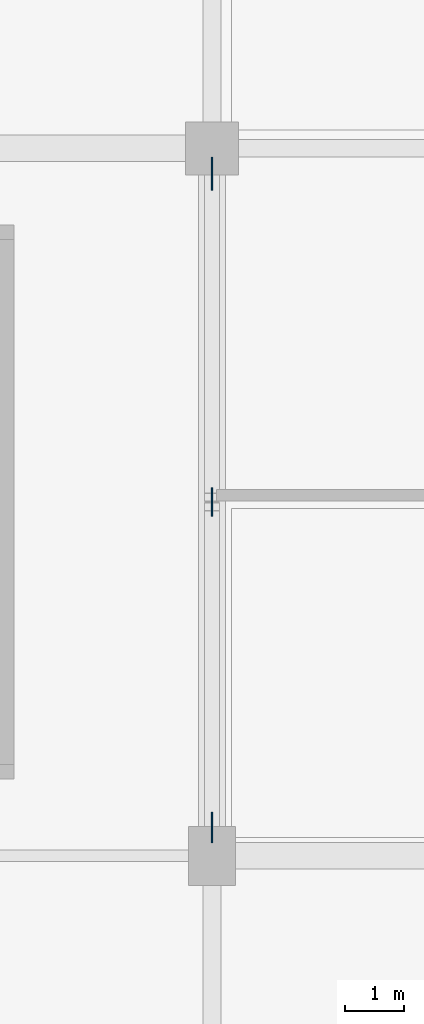
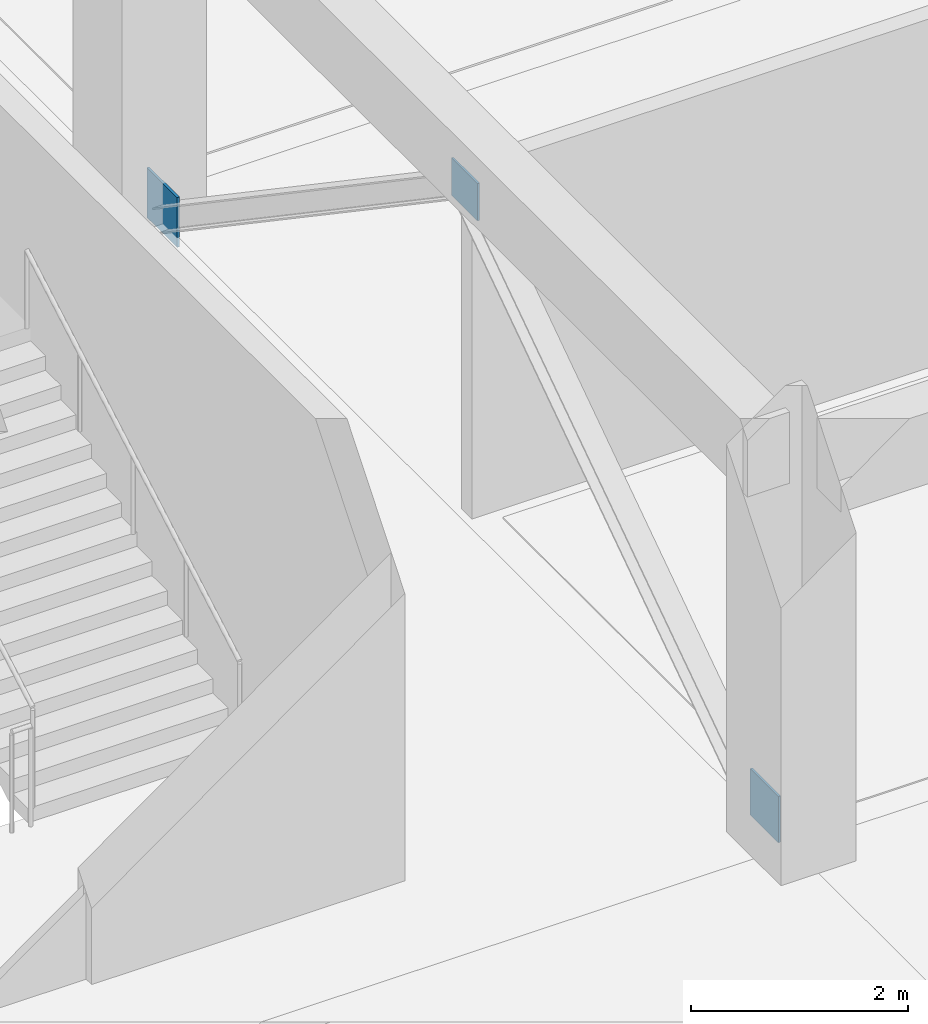
# One storey, part 72 of 134: 3 plates.
"""IFC4 building model written with IfcOpenShell, lengths in metres."""

from ifc_helpers import new_model, si_unit, direction, frame, origin, origin_2d, place, context, subcontext, project, spatial, rectangle, extrude, material, layer, layer_set, type_object, element, save


model = new_model("IFC4")

# Units and contexts
model_context = context("Model", 3, precision=1e-05, world=origin(), true_north=direction((0.0, 1.0)))
body_context = subcontext(model_context, "Body", "Model", "MODEL_VIEW")
ifc_project = project(units=[si_unit("LENGTHUNIT", "METRE"), si_unit("AREAUNIT", "SQUARE_METRE"), si_unit("VOLUMEUNIT", "CUBIC_METRE"), si_unit("PLANEANGLEUNIT", "RADIAN"), si_unit("MASSUNIT", "GRAM", prefix="KILO")], contexts=[model_context])

# Site, building, storey
site_placement = place(None, origin())
site = spatial("IfcSite", under=ifc_project, at=site_placement, CompositionType="ELEMENT")
building_placement = place(site_placement, origin())
building = spatial("IfcBuilding", under=site, at=building_placement, Name="Kazenohara Klinker Stadium", CompositionType="ELEMENT")
storey_placement = place(building_placement, frame((0.0, 0.0, 5.39990234375)))
storey = spatial("IfcBuildingStorey", under=building, at=storey_placement, Name="L01", CompositionType="ELEMENT", Elevation=5.39990234375)

# Plates
ifc_material = material(Name="Steel S355", Category="steel")
ifc_layer_1 = layer(ifc_material, 0.02197265625)
ifc_layer_set_1 = layer_set([ifc_layer_1], Name="Steel S355")
plate_type_1 = type_object("IfcPlateType", Name="PLT-GP02", PredefinedType="USERDEFINED", material=ifc_layer_set_1)
plate_1_placement = place(storey_placement, frame((24.0, 54.0, 3.5400390625), z_axis=(0.0, 0.0, 1.0), x_axis=(1.0, 0.0, 0.0)))
element("IfcPlate", 1, at=plate_1_placement, inside=storey, type_object=plate_type_1, Name="Chevron brace gusset plate GP02 L01 3/E TOP", ObjectType="GUSSET PLATE", PredefinedType="USERDEFINED", context=body_context, shape_type="SweptSolid", body=[
    extrude(rectangle(XDim=0.02197265625, YDim=0.47998046875, at=origin_2d()), origin(), (0.0, 0.0, 1.0), 0.419921875),
])
ifc_layer_2 = layer(ifc_material, 0.02392578125)
ifc_layer_set_2 = layer_set([ifc_layer_2], Name="Steel S355")
plate_type_2 = type_object("IfcPlateType", Name="PLT-GP03", PredefinedType="USERDEFINED", material=ifc_layer_set_2)
plate_2_placement = place(storey_placement, frame((24.0, 48.47998046875, -0.08984375), z_axis=(0.0, 0.0, 1.0), x_axis=(1.0, 0.0, 0.0)))
element("IfcPlate", 2, at=plate_2_placement, inside=storey, type_object=plate_type_2, Name="Chevron brace gusset plate GP03 L01 3/E BOT-A", ObjectType="GUSSET PLATE", PredefinedType="USERDEFINED", context=body_context, shape_type="SweptSolid", body=[
    extrude(rectangle(XDim=0.02392578125, YDim=0.52001953125, at=origin_2d()), origin(), (0.0, 0.0, 1.0), 0.52001953125),
])
ifc_layer_3 = layer(ifc_material, 0.02490234375)
ifc_layer_set_3 = layer_set([ifc_layer_3], Name="Steel S355")
plate_type_3 = type_object("IfcPlateType", Name="PLT-GP04", PredefinedType="USERDEFINED", material=ifc_layer_set_3)
plate_3_placement = place(storey_placement, frame((24.0, 59.570068359375, -0.10986328125), z_axis=(0.0, 0.0, 1.0), x_axis=(1.0, 0.0, 0.0)))
element("IfcPlate", 3, at=plate_3_placement, inside=storey, type_object=plate_type_3, Name="Chevron brace gusset plate GP04 L01 3/E BOT-B", ObjectType="GUSSET PLATE", PredefinedType="USERDEFINED", context=body_context, shape_type="SweptSolid", body=[
    extrude(rectangle(XDim=0.02490234375, YDim=0.56005859375, at=origin_2d()), origin(), (0.0, 0.0, 1.0), 0.56005859375),
])

save(model, "model.ifc")
